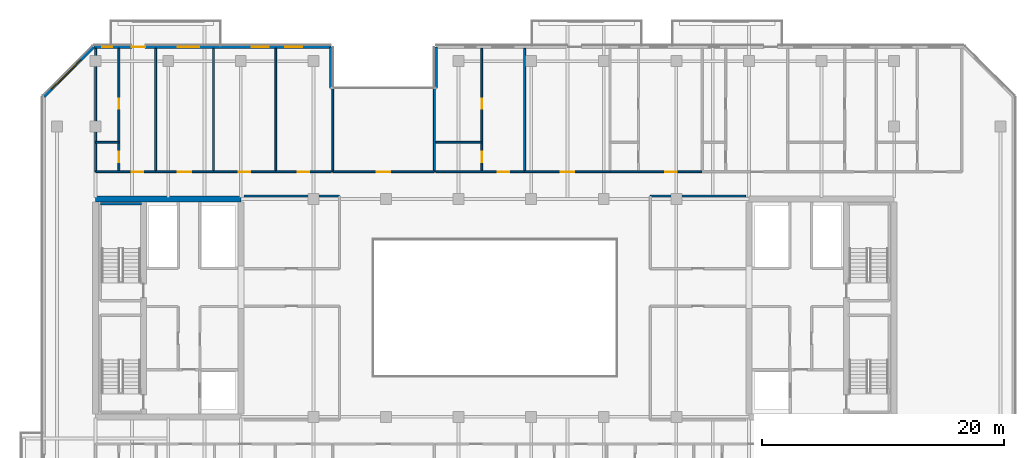
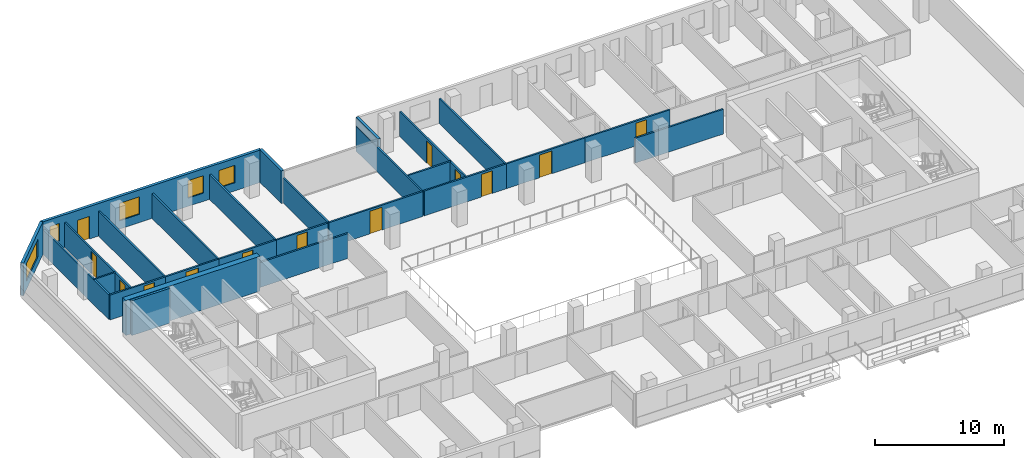
# One storey, part 12 of 19: 27 walls, 13 doors, 5 windows, 18 openings.
"""IFC4 building model written with IfcOpenShell, lengths in metres."""

from ifc_helpers import new_model, si_unit, direction, frame, frame_2d, origin, place, context, subcontext, project, spatial, rectangle, extrude, material, layer, layer_set, type_object, element, fill, save


model = new_model("IFC4")

# Units and contexts
model_context = context("Model", 3, precision=1e-05, world=origin(), true_north=direction((0.0, 1.0)))
body_context = subcontext(model_context, "Body", "Model", "MODEL_VIEW")
ifc_project = project(units=[si_unit("LENGTHUNIT", "METRE"), si_unit("AREAUNIT", "SQUARE_METRE"), si_unit("VOLUMEUNIT", "CUBIC_METRE"), si_unit("PLANEANGLEUNIT", "RADIAN"), si_unit("MASSUNIT", "GRAM", prefix="KILO")], contexts=[model_context])

# Site, building, storey
site_placement = place(None, origin())
site = spatial("IfcSite", under=ifc_project, at=site_placement, CompositionType="ELEMENT")
building_placement = place(site_placement, origin())
building = spatial("IfcBuilding", under=site, at=building_placement, Name="Tanjung Sevakor Pilgrim Tower", CompositionType="ELEMENT")
storey_placement = place(building_placement, frame((0.0, 0.0, 132.0)))
storey = spatial("IfcBuildingStorey", under=building, at=storey_placement, Name="L36", CompositionType="ELEMENT", Elevation=132.0)

# Walls
ifc_material_1 = material(Name="Concrete C60/75", Category="concrete")
ifc_layer_1 = layer(ifc_material_1, 0.5)
ifc_layer_set_1 = layer_set([ifc_layer_1], Name="WALL-CW-500")
wall_type_1 = type_object("IfcWallType", Name="WALL-CW-500", PredefinedType="SHEAR", material=ifc_layer_set_1)
wall_1_placement = place(storey_placement, frame((36.0, 42.60009765625, 0.0), z_axis=(0.0, 0.0, 1.0), x_axis=(-1.0, 0.0, 0.0)))
element("IfcWall", 1, at=wall_1_placement, inside=storey, type_object=wall_type_1, Name="L36 W Core North Shear Wall", PredefinedType="SHEAR", context=body_context, shape_type="SweptSolid", body=[
    extrude(rectangle(XDim=12.0, YDim=0.5, at=frame_2d((6.0, 0.0))), origin(), (0.0, 0.0, 1.0), 3.300048828125),
])
ifc_material_2 = material(Name="Concrete C40/50", Category="concrete")
ifc_layer_2 = layer(ifc_material_2, 0.14990234375)
ifc_layer_set_2 = layer_set([ifc_layer_2], Name="WT-COMP-150")
wall_type_2 = type_object("IfcWallType", Name="WT-COMP-150", PredefinedType="SOLIDWALL", material=ifc_layer_set_2)
for number, where, z_axis, x_axis, name in (
    (2, (36.27001953125, 42.85009765625, 0.0), (0.0, 0.0, 1.0), (1.0, 0.0, 0.0), "L36 Partition IW-L36-025"),
    (3, (69.85009765625, 42.85009765625, 0.0), (0.0, 0.0, 1.0), (1.0, 0.0, 0.0), "L36 Partition IW-L36-031"),
):
    element("IfcWall", number, at=place(storey_placement, frame(where, z_axis=z_axis, x_axis=x_axis)), inside=storey, type_object=wall_type_2, Name=name, PredefinedType="SOLIDWALL", context=body_context, shape_type="SweptSolid", body=[
        extrude(rectangle(XDim=7.8798828125, YDim=0.14990234375, at=frame_2d((3.93994140625, 0.0))), origin(), (0.0, 0.0, 1.0), 2.35009765625),
    ])

# Wall, opening, door
wall_2_placement = place(storey_placement, frame((43.60009765625, 44.85009765625, 0.0), z_axis=(0.0, 0.0, 1.0), x_axis=(1.0, 0.0, 0.0)))
wall_2 = element("IfcWall", 4, at=wall_2_placement, inside=storey, type_object=wall_type_2, Name="L36 Partition IW-L36-036", PredefinedType="SOLIDWALL", context=body_context, shape_type="SweptSolid", body=[
    extrude(rectangle(XDim=8.39990234375, YDim=0.14990234375, at=frame_2d((4.199951171875, 0.0))), origin(), (0.0, 0.0, 1.0), 2.35009765625),
])
opening_1_placement = place(wall_2_placement, frame((3.64990234375, 0.0, 0.0)))
opening_1 = element("IfcOpeningElement", 5, at=opening_1_placement, cuts=wall_2, Name="Opening ID-RM2", PredefinedType="OPENING", context=body_context, shape_type="SweptSolid", body=[
    extrude(rectangle(XDim=1.10009765625, YDim=2.14990234375, at=frame_2d((0.550048828125, 1.074951171875))), frame((0.0, 0.0849609375, 0.0), z_axis=(0.0, -1.0, 0.0), x_axis=(1.0, 0.0, 0.0)), (0.0, 0.0, 1.0), 0.169921875),
])
ifc_material_3 = material(Name="Hardwood Timber", Category="wood")
door_type_1 = type_object("IfcDoorType", Name="DT-INT-1100", OperationType="NOTDEFINED", PredefinedType="DOOR", material=ifc_material_3)
door_1_placement = place(opening_1_placement, origin())
door_1 = element("IfcDoor", 6, at=door_1_placement, inside=storey, type_object=door_type_1, Name="L36 North Cleft Prayer Room Door", OperationType="SINGLE_SWING_RIGHT", OverallHeight=2.14990234375, OverallWidth=1.10009765625, PredefinedType="DOOR", context=body_context, shape_type="SweptSolid", body=[
    extrude(rectangle(XDim=1.10009765625, YDim=2.14990234375, at=frame_2d((0.550048828125, 1.074951171875))), frame((0.0, 0.02490234375, 0.0), z_axis=(0.0, -1.0, 0.0), x_axis=(1.0, 0.0, 0.0)), (0.0, 0.0, 1.0), 0.050048828125),
])
fill(opening_1, door_1)

# Walls
for number, where, z_axis, x_axis, name in (
    (7, (43.60009765625, 44.85009765625, 0.0), (0.0, 0.0, 1.0), (0.0, 1.0, 0.0), "L36 Partition IW-L36-037"),
    (8, (52.0, 44.85009765625, 0.0), (0.0, 0.0, 1.0), (0.0, 1.0, 0.0), "L36 Partition IW-L36-038"),
    (9, (24.0, 44.85009765625, 0.0), (0.0, 0.0, 1.0), (0.0, 1.0, 0.0), "L36 Partition IW-L36-070"),
    (10, (28.9619140625, 44.85009765625, 0.0), (0.0, 0.0, 1.0), (0.0, 1.0, 0.0), "L36 Partition IW-L36-071"),
):
    element("IfcWall", number, at=place(storey_placement, frame(where, z_axis=z_axis, x_axis=x_axis)), inside=storey, type_object=wall_type_2, Name=name, PredefinedType="SOLIDWALL", context=body_context, shape_type="SweptSolid", body=[
        extrude(rectangle(XDim=10.199951171875, YDim=0.14990234375, at=frame_2d((5.10009765625, 0.0))), origin(), (0.0, 0.0, 1.0), 2.35009765625),
    ])

# Wall, opening, door
wall_3_placement = place(storey_placement, frame((24.0, 44.85009765625, 0.0), z_axis=(0.0, 0.0, 1.0), x_axis=(1.0, 0.0, 0.0)))
wall_3 = element("IfcWall", 11, at=wall_3_placement, inside=storey, type_object=wall_type_2, Name="L36 Partition IW-L36-074", PredefinedType="SOLIDWALL", context=body_context, shape_type="SweptSolid", body=[
    extrude(rectangle(XDim=4.9619140625, YDim=0.14990234375, at=frame_2d((2.48095703125, 0.0))), origin(), (0.0, 0.0, 1.0), 2.35009765625),
])
opening_2_placement = place(wall_3_placement, frame((3.005859375, 0.0, 0.0)))
opening_2 = element("IfcOpeningElement", 12, at=opening_2_placement, cuts=wall_3, Name="Opening ID-FD2", PredefinedType="OPENING", context=body_context, shape_type="SweptSolid", body=[
    extrude(rectangle(XDim=0.949951171875, YDim=2.14990234375, at=frame_2d((0.47509765625, 1.074951171875))), frame((0.0, 0.0849609375, 0.0), z_axis=(0.0, -1.0, 0.0), x_axis=(1.0, 0.0, 0.0)), (0.0, 0.0, 1.0), 0.169921875),
])
ifc_material_4 = material(Name="Fire-Rated Timber", Category="wood")
door_type_2 = type_object("IfcDoorType", Name="DT-FIRE-950", OperationType="NOTDEFINED", PredefinedType="DOOR", material=ifc_material_4)
door_2_placement = place(opening_2_placement, origin())
door_2 = element("IfcDoor", 13, at=door_2_placement, inside=storey, type_object=door_type_2, Name="Hostel Quad Entrance", OperationType="SINGLE_SWING_RIGHT", OverallHeight=2.14990234375, OverallWidth=0.949951171875, PredefinedType="DOOR", context=body_context, shape_type="SweptSolid", body=[
    extrude(rectangle(XDim=0.949951171875, YDim=2.14990234375, at=frame_2d((0.47509765625, 1.074951171875))), frame((0.0, 0.02490234375, 0.0), z_axis=(0.0, -1.0, 0.0), x_axis=(1.0, 0.0, 0.0)), (0.0, 0.0, 1.0), 0.050048828125),
])
fill(opening_2, door_2)

# Wall
wall_4_placement = place(storey_placement, frame((33.739990234375, 44.85009765625, 0.0), z_axis=(0.0, 0.0, 1.0), x_axis=(0.0, 1.0, 0.0)))
element("IfcWall", 14, at=wall_4_placement, inside=storey, type_object=wall_type_2, Name="L36 Partition IW-L36-075", PredefinedType="SOLIDWALL", context=body_context, shape_type="SweptSolid", body=[
    extrude(rectangle(XDim=10.199951171875, YDim=0.14990234375, at=frame_2d((5.10009765625, 0.0))), origin(), (0.0, 0.0, 1.0), 2.35009765625),
])

# Wall, opening, door
wall_5_placement = place(storey_placement, frame((28.9619140625, 44.85009765625, 0.0), z_axis=(0.0, 0.0, 1.0), x_axis=(1.0, 0.0, 0.0)))
wall_5 = element("IfcWall", 15, at=wall_5_placement, inside=storey, type_object=wall_type_2, Name="L36 Partition IW-L36-076", PredefinedType="SOLIDWALL", context=body_context, shape_type="SweptSolid", body=[
    extrude(rectangle(XDim=4.778076171875, YDim=0.14990234375, at=frame_2d((2.38916015625, 0.0))), origin(), (0.0, 0.0, 1.0), 2.35009765625),
])
opening_3_placement = place(wall_5_placement, frame((1.839111328125, 0.0, 0.0)))
opening_3 = element("IfcOpeningElement", 16, at=opening_3_placement, cuts=wall_5, Name="Opening ID-FD0", PredefinedType="OPENING", context=body_context, shape_type="SweptSolid", body=[
    extrude(rectangle(XDim=1.10009765625, YDim=2.14990234375, at=frame_2d((0.550048828125, 1.074951171875))), frame((0.0, 0.0849609375, 0.0), z_axis=(0.0, -1.0, 0.0), x_axis=(1.0, 0.0, 0.0)), (0.0, 0.0, 1.0), 0.169921875),
])
ifc_material_5 = material(Name="Fire-Rated Steel S355J2", Category="steel")
door_type_3 = type_object("IfcDoorType", Name="DT-FIRE-1100", OperationType="NOTDEFINED", PredefinedType="DOOR", material=ifc_material_5)
door_3_placement = place(opening_3_placement, origin())
door_3 = element("IfcDoor", 17, at=door_3_placement, inside=storey, type_object=door_type_3, Name="Seminar Room Door", OperationType="SINGLE_SWING_LEFT", OverallHeight=2.14990234375, OverallWidth=1.10009765625, PredefinedType="DOOR", context=body_context, shape_type="SweptSolid", body=[
    extrude(rectangle(XDim=1.10009765625, YDim=2.14990234375, at=frame_2d((0.550048828125, 1.074951171875))), frame((0.0, 0.02490234375, 0.0), z_axis=(0.0, -1.0, 0.0), x_axis=(1.0, 0.0, 0.0)), (0.0, 0.0, 1.0), 0.050048828125),
])
fill(opening_3, door_3)

# Wall
wall_6_placement = place(storey_placement, frame((38.8857421875, 44.85009765625, 0.0), z_axis=(0.0, 0.0, 1.0), x_axis=(0.0, 1.0, 0.0)))
element("IfcWall", 18, at=wall_6_placement, inside=storey, type_object=wall_type_2, Name="L36 Partition IW-L36-077", PredefinedType="SOLIDWALL", context=body_context, shape_type="SweptSolid", body=[
    extrude(rectangle(XDim=10.199951171875, YDim=0.14990234375, at=frame_2d((5.10009765625, 0.0))), origin(), (0.0, 0.0, 1.0), 2.35009765625),
])

# Wall, opening, door
wall_7_placement = place(storey_placement, frame((33.739990234375, 44.85009765625, 0.0), z_axis=(0.0, 0.0, 1.0), x_axis=(1.0, 0.0, 0.0)))
wall_7 = element("IfcWall", 19, at=wall_7_placement, inside=storey, type_object=wall_type_2, Name="L36 Partition IW-L36-078", PredefinedType="SOLIDWALL", context=body_context, shape_type="SweptSolid", body=[
    extrude(rectangle(XDim=5.145751953125, YDim=0.14990234375, at=frame_2d((2.57275390625, 0.0))), origin(), (0.0, 0.0, 1.0), 2.35009765625),
])
opening_4_placement = place(wall_7_placement, frame((2.097900390625, 0.0, 0.0)))
opening_4 = element("IfcOpeningElement", 20, at=opening_4_placement, cuts=wall_7, Name="Opening ID-FD2", PredefinedType="OPENING", context=body_context, shape_type="SweptSolid", body=[
    extrude(rectangle(XDim=0.949951171875, YDim=2.14990234375, at=frame_2d((0.47509765625, 1.074951171875))), frame((0.0, 0.0849609375, 0.0), z_axis=(0.0, -1.0, 0.0), x_axis=(1.0, 0.0, 0.0)), (0.0, 0.0, 1.0), 0.169921875),
])
door_4_placement = place(opening_4_placement, origin())
door_4 = element("IfcDoor", 21, at=door_4_placement, inside=storey, type_object=door_type_2, Name="Study Room Entrance", OperationType="SINGLE_SWING_RIGHT", OverallHeight=2.14990234375, OverallWidth=0.949951171875, PredefinedType="DOOR", context=body_context, shape_type="SweptSolid", body=[
    extrude(rectangle(XDim=0.949951171875, YDim=2.14990234375, at=frame_2d((0.47509765625, 1.074951171875))), frame((0.0, 0.02490234375, 0.0), z_axis=(0.0, -1.0, 0.0), x_axis=(1.0, 0.0, 0.0)), (0.0, 0.0, 1.0), 0.050048828125),
])
fill(opening_4, door_4)

wall_8_placement = place(storey_placement, frame((38.8857421875, 44.85009765625, 0.0), z_axis=(0.0, 0.0, 1.0), x_axis=(1.0, 0.0, 0.0)))
wall_8 = element("IfcWall", 22, at=wall_8_placement, inside=storey, type_object=wall_type_2, Name="L36 Partition IW-L36-079", PredefinedType="SOLIDWALL", context=body_context, shape_type="SweptSolid", body=[
    extrude(rectangle(XDim=4.59423828125, YDim=0.14990234375, at=frame_2d((2.297119140625, 0.0))), origin(), (0.0, 0.0, 1.0), 2.35009765625),
])
opening_5_placement = place(wall_8_placement, frame((1.822021484375, 0.0, 0.0)))
opening_5 = element("IfcOpeningElement", 23, at=opening_5_placement, cuts=wall_8, Name="Opening ID-FD2", PredefinedType="OPENING", context=body_context, shape_type="SweptSolid", body=[
    extrude(rectangle(XDim=0.949951171875, YDim=2.14990234375, at=frame_2d((0.47509765625, 1.074951171875))), frame((0.0, 0.0849609375, 0.0), z_axis=(0.0, -1.0, 0.0), x_axis=(1.0, 0.0, 0.0)), (0.0, 0.0, 1.0), 0.169921875),
])
door_5_placement = place(opening_5_placement, origin())
door_5 = element("IfcDoor", 24, at=door_5_placement, inside=storey, type_object=door_type_2, Name="Study Room Entrance", OperationType="SINGLE_SWING_LEFT", OverallHeight=2.14990234375, OverallWidth=0.949951171875, PredefinedType="DOOR", context=body_context, shape_type="SweptSolid", body=[
    extrude(rectangle(XDim=0.949951171875, YDim=2.14990234375, at=frame_2d((0.47509765625, 1.074951171875))), frame((0.0, 0.02490234375, 0.0), z_axis=(0.0, -1.0, 0.0), x_axis=(1.0, 0.0, 0.0)), (0.0, 0.0, 1.0), 0.050048828125),
])
fill(opening_5, door_5)

# Wall
wall_9_placement = place(storey_placement, frame((59.457275390625, 44.85009765625, 0.0), z_axis=(0.0, 0.0, 1.0), x_axis=(0.0, 1.0, 0.0)))
element("IfcWall", 25, at=wall_9_placement, inside=storey, type_object=wall_type_2, Name="L36 Partition IW-L36-081", PredefinedType="SOLIDWALL", context=body_context, shape_type="SweptSolid", body=[
    extrude(rectangle(XDim=10.199951171875, YDim=0.14990234375, at=frame_2d((5.10009765625, 0.0))), origin(), (0.0, 0.0, 1.0), 2.35009765625),
])

# Wall, opening, door
wall_10_placement = place(storey_placement, frame((52.1201171875, 44.85009765625, 0.0), z_axis=(0.0, 0.0, 1.0), x_axis=(1.0, 0.0, 0.0)))
wall_10 = element("IfcWall", 26, at=wall_10_placement, inside=storey, type_object=wall_type_2, Name="L36 Partition IW-L36-084", PredefinedType="SOLIDWALL", context=body_context, shape_type="SweptSolid", body=[
    extrude(rectangle(XDim=7.337158203125, YDim=0.14990234375, at=frame_2d((3.66845703125, 0.0))), origin(), (0.0, 0.0, 1.0), 2.35009765625),
])
opening_6_placement = place(wall_10_placement, frame((5.133544921875, 0.0, 0.0)))
opening_6 = element("IfcOpeningElement", 27, at=opening_6_placement, cuts=wall_10, Name="Opening ID-FD2", PredefinedType="OPENING", context=body_context, shape_type="SweptSolid", body=[
    extrude(rectangle(XDim=0.949951171875, YDim=2.14990234375, at=frame_2d((0.47509765625, 1.074951171875))), frame((0.0, 0.0849609375, 0.0), z_axis=(0.0, -1.0, 0.0), x_axis=(1.0, 0.0, 0.0)), (0.0, 0.0, 1.0), 0.169921875),
])
door_6_placement = place(opening_6_placement, origin())
door_6 = element("IfcDoor", 28, at=door_6_placement, inside=storey, type_object=door_type_2, Name="Hostel Quad Entrance", OperationType="SINGLE_SWING_RIGHT", OverallHeight=2.14990234375, OverallWidth=0.949951171875, PredefinedType="DOOR", context=body_context, shape_type="SweptSolid", body=[
    extrude(rectangle(XDim=0.949951171875, YDim=2.14990234375, at=frame_2d((0.47509765625, 1.074951171875))), frame((0.0, 0.02490234375, 0.0), z_axis=(0.0, -1.0, 0.0), x_axis=(1.0, 0.0, 0.0)), (0.0, 0.0, 1.0), 0.050048828125),
])
fill(opening_6, door_6)

wall_11_placement = place(storey_placement, frame((59.457275390625, 44.85009765625, 0.0), z_axis=(0.0, 0.0, 1.0), x_axis=(1.0, 0.0, 0.0)))
wall_11 = element("IfcWall", 29, at=wall_11_placement, inside=storey, type_object=wall_type_2, Name="L36 Partition IW-L36-086", PredefinedType="SOLIDWALL", context=body_context, shape_type="SweptSolid", body=[
    extrude(rectangle(XDim=7.0654296875, YDim=0.14990234375, at=frame_2d((3.53271484375, 0.0))), origin(), (0.0, 0.0, 1.0), 2.35009765625),
])
opening_7_placement = place(wall_11_placement, frame((2.98291015625, 0.0, 0.0)))
opening_7 = element("IfcOpeningElement", 30, at=opening_7_placement, cuts=wall_11, Name="Opening ID-FD0", PredefinedType="OPENING", context=body_context, shape_type="SweptSolid", body=[
    extrude(rectangle(XDim=1.10009765625, YDim=2.14990234375, at=frame_2d((0.550048828125, 1.074951171875))), frame((0.0, 0.0849609375, 0.0), z_axis=(0.0, -1.0, 0.0), x_axis=(1.0, 0.0, 0.0)), (0.0, 0.0, 1.0), 0.169921875),
])
door_7_placement = place(opening_7_placement, origin())
door_7 = element("IfcDoor", 31, at=door_7_placement, inside=storey, type_object=door_type_3, Name="Communal Lounge Door", OperationType="SINGLE_SWING_LEFT", OverallHeight=2.14990234375, OverallWidth=1.10009765625, PredefinedType="DOOR", context=body_context, shape_type="SweptSolid", body=[
    extrude(rectangle(XDim=1.10009765625, YDim=2.14990234375, at=frame_2d((0.550048828125, 1.074951171875))), frame((0.0, 0.02490234375, 0.0), z_axis=(0.0, -1.0, 0.0), x_axis=(1.0, 0.0, 0.0)), (0.0, 0.0, 1.0), 0.050048828125),
])
fill(opening_7, door_7)

wall_12_placement = place(storey_placement, frame((66.522705078125, 44.85009765625, 0.0), z_axis=(0.0, 0.0, 1.0), x_axis=(1.0, 0.0, 0.0)))
wall_12 = element("IfcWall", 32, at=wall_12_placement, inside=storey, type_object=wall_type_2, Name="L36 Partition IW-L36-090", PredefinedType="SOLIDWALL", context=body_context, shape_type="SweptSolid", body=[
    extrude(rectangle(XDim=7.60888671875, YDim=0.14990234375, at=frame_2d((3.804443359375, 0.0))), origin(), (0.0, 0.0, 1.0), 2.35009765625),
])
opening_8_placement = place(wall_12_placement, frame((4.54443359375, 0.0, 0.0)))
opening_8 = element("IfcOpeningElement", 33, at=opening_8_placement, cuts=wall_12, Name="Opening ID-FD2", PredefinedType="OPENING", context=body_context, shape_type="SweptSolid", body=[
    extrude(rectangle(XDim=0.949951171875, YDim=2.14990234375, at=frame_2d((0.47509765625, 1.074951171875))), frame((0.0, 0.0849609375, 0.0), z_axis=(0.0, -1.0, 0.0), x_axis=(1.0, 0.0, 0.0)), (0.0, 0.0, 1.0), 0.169921875),
])
door_8_placement = place(opening_8_placement, origin())
door_8 = element("IfcDoor", 34, at=door_8_placement, inside=storey, type_object=door_type_2, Name="Hostel Quad Entrance", OperationType="SINGLE_SWING_RIGHT", OverallHeight=2.14990234375, OverallWidth=0.949951171875, PredefinedType="DOOR", context=body_context, shape_type="SweptSolid", body=[
    extrude(rectangle(XDim=0.949951171875, YDim=2.14990234375, at=frame_2d((0.47509765625, 1.074951171875))), frame((0.0, 0.02490234375, 0.0), z_axis=(0.0, -1.0, 0.0), x_axis=(1.0, 0.0, 0.0)), (0.0, 0.0, 1.0), 0.050048828125),
])
fill(opening_8, door_8)

# Walls
ifc_material_6 = material(Name="Precast concrete C45/55", Category="concrete")
ifc_layer_3 = layer(ifc_material_6, 0.25)
ifc_layer_set_3 = layer_set([ifc_layer_3], Name="WT-EW-STN3")
wall_type_3 = type_object("IfcWallType", Name="WT-EW-STN3", PredefinedType="SOLIDWALL", material=ifc_layer_set_3)
for number, where, z_axis, x_axis, name in (
    (35, (52.125, 55.175048828125, 0.0), (0.0, 0.0, 1.0), (0.0, -1.0, 0.0), "L36 MAIN Exterior Wall 10"),
    (36, (43.47509765625, 51.77490234375, 0.0), (0.0, 0.0, 1.0), (0.0, 1.0, 0.0), "L36 MAIN Exterior Wall 12"),
):
    element("IfcWall", number, at=place(storey_placement, frame(where, z_axis=z_axis, x_axis=x_axis)), inside=storey, type_object=wall_type_3, Name=name, PredefinedType="SOLIDWALL", context=body_context, shape_type="SweptSolid", body=[
        extrude(rectangle(XDim=3.400146484375, YDim=0.25, at=frame_2d((1.7001953125, 0.0))), origin(), (0.0, 0.0, 1.0), 3.080078125),
    ])

# Wall, openings, door, windows
wall_13_placement = place(storey_placement, frame((43.47509765625, 55.175048828125, 0.0), z_axis=(0.0, 0.0, 1.0), x_axis=(-1.0, 0.0, 0.0)))
wall_13 = element("IfcWall", 37, at=wall_13_placement, inside=storey, type_object=wall_type_3, Name="L36 MAIN Exterior Wall 13", PredefinedType="SOLIDWALL", context=body_context, shape_type="SweptSolid", body=[
    extrude(rectangle(XDim=19.623291015625, YDim=0.25, at=frame_2d((9.8115234375, 0.0))), origin(), (0.0, 0.0, 1.0), 3.080078125),
])
opening_9_placement = place(wall_13_placement, frame((15.375, 0.0, 0.0)))
opening_9 = element("IfcOpeningElement", 38, at=opening_9_placement, cuts=wall_13, Name="Opening ED-BAL-1100", PredefinedType="OPENING", context=body_context, shape_type="SweptSolid", body=[
    extrude(rectangle(XDim=1.10009765625, YDim=2.14990234375, at=frame_2d((0.550048828125, 1.074951171875))), frame((0.0, 0.135009765625, 0.0), z_axis=(0.0, -1.0, 0.0), x_axis=(1.0, 0.0, 0.0)), (0.0, 0.0, 1.0), 0.27001953125),
])
opening_10_placement = place(wall_13_placement, frame((18.080078125, 0.0, 0.780029296875)))
opening_10 = element("IfcOpeningElement", 39, at=opening_10_placement, cuts=wall_13, Name="Opening WN-SLM", PredefinedType="OPENING", context=body_context, shape_type="SweptSolid", body=[
    extrude(rectangle(XDim=0.85009765625, YDim=1.64990234375, at=frame_2d((0.425048828125, 0.824951171875))), frame((0.0, 0.135009765625, 0.0), z_axis=(0.0, -1.0, 0.0), x_axis=(1.0, 0.0, 0.0)), (0.0, 0.0, 1.0), 0.27001953125),
])
opening_11_placement = place(wall_13_placement, frame((10.904052734375, 0.0, 0.780029296875)))
opening_11 = element("IfcOpeningElement", 40, at=opening_11_placement, cuts=wall_13, Name="Opening WN-Z3-1660", PredefinedType="OPENING", context=body_context, shape_type="SweptSolid", body=[
    extrude(rectangle(XDim=1.800048828125, YDim=1.659912109375, at=frame_2d((0.89990234375, 0.830078125))), frame((0.0, 0.135009765625, 0.0), z_axis=(0.0, -1.0, 0.0), x_axis=(1.0, 0.0, 0.0)), (0.0, 0.0, 1.0), 0.27001953125),
])
opening_12_placement = place(wall_13_placement, frame((5.18212890625, 0.0, 0.780029296875)))
opening_12 = element("IfcOpeningElement", 41, at=opening_12_placement, cuts=wall_13, Name="Opening WN-END", PredefinedType="OPENING", context=body_context, shape_type="SweptSolid", body=[
    extrude(rectangle(XDim=1.39990234375, YDim=1.64990234375, at=frame_2d((0.699951171875, 0.824951171875))), frame((0.0, 0.135009765625, 0.0), z_axis=(0.0, -1.0, 0.0), x_axis=(1.0, 0.0, 0.0)), (0.0, 0.0, 1.0), 0.27001953125),
])
opening_13_placement = place(wall_13_placement, frame((2.39208984375, 0.0, 0.780029296875)))
opening_13 = element("IfcOpeningElement", 42, at=opening_13_placement, cuts=wall_13, Name="Opening WN-END", PredefinedType="OPENING", context=body_context, shape_type="SweptSolid", body=[
    extrude(rectangle(XDim=1.39990234375, YDim=1.64990234375, at=frame_2d((0.699951171875, 0.824951171875))), frame((0.0, 0.135009765625, 0.0), z_axis=(0.0, -1.0, 0.0), x_axis=(1.0, 0.0, 0.0)), (0.0, 0.0, 1.0), 0.27001953125),
])
ifc_material_7 = material(Name="Anodised Aluminium and Laminated Glass", Category="aluminium")
door_type_4 = type_object("IfcDoorType", Name="DTYP-ED-BAL-1100", OperationType="NOTDEFINED", PredefinedType="DOOR", material=ifc_material_7)
door_9_placement = place(opening_9_placement, frame((1.10009765625, 0.0, 0.0), z_axis=(0.0, 0.0, 1.0), x_axis=(-1.0, 0.0, 0.0)))
door_9 = element("IfcDoor", 43, at=door_9_placement, inside=storey, type_object=door_type_4, Name="L36 Balcony Door MAIN-N1", OperationType="SINGLE_SWING_RIGHT", OverallHeight=2.14990234375, OverallWidth=1.10009765625, PredefinedType="DOOR", context=body_context, shape_type="SweptSolid", body=[
    extrude(rectangle(XDim=1.10009765625, YDim=2.14990234375, at=frame_2d((0.550048828125, 1.074951171875))), frame((0.0, 0.02490234375, 0.0), z_axis=(0.0, -1.0, 0.0), x_axis=(1.0, 0.0, 0.0)), (0.0, 0.0, 1.0), 0.050048828125),
])
fill(opening_9, door_9)
ifc_material_8 = material(Name="Thermally Broken Aluminium and Low-E Glass", Category="aluminium")
window_type_1 = type_object("IfcWindowType", Name="WTYP-WN-END", PartitioningType="SINGLE_PANEL", PredefinedType="WINDOW", material=ifc_material_8)
window_1_placement = place(opening_12_placement, origin())
window_1 = element("IfcWindow", 44, at=window_1_placement, inside=storey, type_object=window_type_1, Name="L36 Facade Window 03", OverallHeight=1.64990234375, OverallWidth=1.39990234375, PartitioningType="SINGLE_PANEL", PredefinedType="WINDOW", context=body_context, shape_type="SweptSolid", body=[
    extrude(rectangle(XDim=1.39990234375, YDim=1.64990234375, at=frame_2d((0.699951171875, 0.824951171875))), frame((0.0, 0.030029296875, 0.0), z_axis=(0.0, -1.0, 0.0), x_axis=(1.0, 0.0, 0.0)), (0.0, 0.0, 1.0), 0.06005859375),
])
fill(opening_12, window_1)
window_2_placement = place(opening_13_placement, origin())
window_2 = element("IfcWindow", 45, at=window_2_placement, inside=storey, type_object=window_type_1, Name="L36 Facade Window 04", OverallHeight=1.64990234375, OverallWidth=1.39990234375, PartitioningType="SINGLE_PANEL", PredefinedType="WINDOW", context=body_context, shape_type="SweptSolid", body=[
    extrude(rectangle(XDim=1.39990234375, YDim=1.64990234375, at=frame_2d((0.699951171875, 0.824951171875))), frame((0.0, 0.030029296875, 0.0), z_axis=(0.0, -1.0, 0.0), x_axis=(1.0, 0.0, 0.0)), (0.0, 0.0, 1.0), 0.06005859375),
])
fill(opening_13, window_2)
ifc_material_9 = material(Name="Thermally Broken Aluminium and Low-E Glass", Category="aluminium")
window_type_2 = type_object("IfcWindowType", Name="WTYP-WN-SLM", PartitioningType="SINGLE_PANEL", PredefinedType="WINDOW", material=ifc_material_9)
window_3_placement = place(opening_10_placement, origin())
window_3 = element("IfcWindow", 46, at=window_3_placement, inside=storey, type_object=window_type_2, Name="L36 Facade Window 01", OverallHeight=1.64990234375, OverallWidth=0.85009765625, PartitioningType="SINGLE_PANEL", PredefinedType="WINDOW", context=body_context, shape_type="SweptSolid", body=[
    extrude(rectangle(XDim=0.85009765625, YDim=1.64990234375, at=frame_2d((0.425048828125, 0.824951171875))), frame((0.0, 0.030029296875, 0.0), z_axis=(0.0, -1.0, 0.0), x_axis=(1.0, 0.0, 0.0)), (0.0, 0.0, 1.0), 0.06005859375),
])
fill(opening_10, window_3)
ifc_material_10 = material(Name="Thermally Broken Aluminium and Low-E Glass", Category="aluminium")
window_type_3 = type_object("IfcWindowType", Name="WTYP-WN-Z3-1660", PartitioningType="DOUBLE_PANEL_VERTICAL", PredefinedType="WINDOW", material=ifc_material_10)
window_4_placement = place(opening_11_placement, origin())
window_4 = element("IfcWindow", 47, at=window_4_placement, inside=storey, type_object=window_type_3, Name="L36 Facade Window 02", OverallHeight=1.659912109375, OverallWidth=1.800048828125, PartitioningType="SINGLE_PANEL", PredefinedType="WINDOW", context=body_context, shape_type="SweptSolid", body=[
    extrude(rectangle(XDim=1.800048828125, YDim=1.659912109375, at=frame_2d((0.89990234375, 0.830078125))), frame((0.0, 0.030029296875, 0.0), z_axis=(0.0, -1.0, 0.0), x_axis=(1.0, 0.0, 0.0)), (0.0, 0.0, 1.0), 0.06005859375),
])
fill(opening_11, window_4)

# Wall, opening, window
wall_14_placement = place(storey_placement, frame((23.851806640625, 55.175048828125, 0.0), z_axis=(0.0, 0.0, 1.0), x_axis=(-0.70708586489, -0.707127696864, 0.0)))
wall_14 = element("IfcWall", 48, at=wall_14_placement, inside=storey, type_object=wall_type_3, Name="L36 MAIN Sculpted Corner Wall 13", PredefinedType="SOLIDWALL", context=body_context, shape_type="SweptSolid", body=[
    extrude(rectangle(XDim=5.836181640625, YDim=0.25, at=frame_2d((2.91796875, 0.0))), origin(), (0.0, 0.0, 1.0), 3.080078125),
])
opening_14_placement = place(wall_14_placement, frame((1.5380859375, 0.0, 0.780029296875)))
opening_14 = element("IfcOpeningElement", 49, at=opening_14_placement, cuts=wall_14, Name="Opening WN-CHM-1660", PredefinedType="OPENING", context=body_context, shape_type="SweptSolid", body=[
    extrude(rectangle(XDim=3.39990234375, YDim=1.659912109375, at=frame_2d((1.699951171875, 0.830078125))), frame((0.0, 0.135009765625, 0.0), z_axis=(0.0, -1.0, 0.0), x_axis=(1.0, 0.0, 0.0)), (0.0, 0.0, 1.0), 0.27001953125),
])
ifc_material_11 = material(Name="Thermally Broken Aluminium and Low-E Glass", Category="aluminium")
window_type_4 = type_object("IfcWindowType", Name="WTYP-WN-CHM-1660", PartitioningType="DOUBLE_PANEL_VERTICAL", PredefinedType="WINDOW", material=ifc_material_11)
window_5_placement = place(opening_14_placement, origin())
window_5 = element("IfcWindow", 50, at=window_5_placement, inside=storey, type_object=window_type_4, Name="L36 Facade Window 01", OverallHeight=1.659912109375, OverallWidth=3.39990234375, PartitioningType="SINGLE_PANEL", PredefinedType="WINDOW", context=body_context, shape_type="SweptSolid", body=[
    extrude(rectangle(XDim=3.39990234375, YDim=1.659912109375, at=frame_2d((1.699951171875, 0.830078125))), frame((0.0, 0.030029296875, 0.0), z_axis=(0.0, -1.0, 0.0), x_axis=(1.0, 0.0, 0.0)), (0.0, 0.0, 1.0), 0.06005859375),
])
fill(opening_14, window_5)

# Walls
ifc_material_12 = material(Name="Concrete C40/50", Category="concrete")
ifc_layer_4 = layer(ifc_material_12, 0.199951171875)
ifc_layer_set_4 = layer_set([ifc_layer_4], Name="WT-FIRE-200")
wall_type_4 = type_object("IfcWallType", Name="WT-FIRE-200", PredefinedType="SOLIDWALL", material=ifc_layer_set_4)
wall_15_placement = place(storey_placement, frame((27.800048828125, 42.199951171875, 0.0), z_axis=(0.0, 0.0, 1.0), x_axis=(-1.0, 0.0, 0.0)))
element("IfcWall", 51, at=wall_15_placement, inside=storey, type_object=wall_type_4, Name="L36 TS-W2 Shaft Wall 2", PredefinedType="SOLIDWALL", context=body_context, shape_type="SweptSolid", body=[
    extrude(rectangle(XDim=3.400146484375, YDim=0.199951171875, at=frame_2d((1.7001953125, 0.0))), origin(), (0.0, 0.0, 1.0), 3.300048828125),
])
ifc_material_13 = material(Name="Gypsum Board Partition", Category="gypsum board")
ifc_layer_5 = layer(ifc_material_13, 0.14990234375)
ifc_layer_set_5 = layer_set([ifc_layer_5], Name="WT-PART-150")
wall_type_5 = type_object("IfcWallType", Name="WT-PART-150", PredefinedType="PARTITIONING", material=ifc_layer_set_5)
wall_16_placement = place(storey_placement, frame((24.0, 47.300048828125, 0.0), z_axis=(0.0, 0.0, 1.0), x_axis=(1.0, 0.0, 0.0)))
element("IfcWall", 52, at=wall_16_placement, inside=storey, type_object=wall_type_5, Name="L36 Partition IW-L36-072", PredefinedType="PARTITIONING", context=body_context, shape_type="SweptSolid", body=[
    extrude(rectangle(XDim=1.919921875, YDim=0.14990234375, at=frame_2d((0.9599609375, 0.0))), origin(), (0.0, 0.0, 1.0), 2.35009765625),
])

# Wall, openings, doors
wall_17_placement = place(storey_placement, frame((25.919921875, 44.85009765625, 0.0), z_axis=(0.0, 0.0, 1.0), x_axis=(0.0, 1.0, 0.0)))
wall_17 = element("IfcWall", 53, at=wall_17_placement, inside=storey, type_object=wall_type_5, Name="L36 Partition IW-L36-073", PredefinedType="PARTITIONING", context=body_context, shape_type="SweptSolid", body=[
    extrude(rectangle(XDim=10.199951171875, YDim=0.14990234375, at=frame_2d((5.10009765625, 0.0))), origin(), (0.0, 0.0, 1.0), 2.35009765625),
])
opening_15_placement = place(wall_17_placement, frame((0.800048828125, 0.0, 0.0)))
opening_15 = element("IfcOpeningElement", 54, at=opening_15_placement, cuts=wall_17, Name="Opening ID-WC1", PredefinedType="OPENING", context=body_context, shape_type="SweptSolid", body=[
    extrude(rectangle(XDim=0.85009765625, YDim=2.10009765625, at=frame_2d((0.425048828125, 1.050048828125))), frame((0.0, 0.0849609375, 0.0), z_axis=(0.0, -1.0, 0.0), x_axis=(1.0, 0.0, 0.0)), (0.0, 0.0, 1.0), 0.169921875),
])
opening_16_placement = place(wall_17_placement, frame((5.2099609375, 0.0, 0.0)))
opening_16 = element("IfcOpeningElement", 55, at=opening_16_placement, cuts=wall_17, Name="Opening ID-WC1", PredefinedType="OPENING", context=body_context, shape_type="SweptSolid", body=[
    extrude(rectangle(XDim=0.85009765625, YDim=2.10009765625, at=frame_2d((0.425048828125, 1.050048828125))), frame((0.0, 0.0849609375, 0.0), z_axis=(0.0, -1.0, 0.0), x_axis=(1.0, 0.0, 0.0)), (0.0, 0.0, 1.0), 0.169921875),
])
ifc_material_14 = material(Name="Moisture-Resistant Timber", Category="wood")
door_type_5 = type_object("IfcDoorType", Name="DT-INT-850", OperationType="NOTDEFINED", PredefinedType="DOOR", material=ifc_material_14)
door_10_placement = place(opening_15_placement, origin())
door_10 = element("IfcDoor", 56, at=door_10_placement, inside=storey, type_object=door_type_5, Name="Bathroom Door", OperationType="SINGLE_SWING_RIGHT", OverallHeight=2.10009765625, OverallWidth=0.85009765625, PredefinedType="DOOR", context=body_context, shape_type="SweptSolid", body=[
    extrude(rectangle(XDim=0.85009765625, YDim=2.10009765625, at=frame_2d((0.425048828125, 1.050048828125))), frame((0.0, 0.02490234375, 0.0), z_axis=(0.0, -1.0, 0.0), x_axis=(1.0, 0.0, 0.0)), (0.0, 0.0, 1.0), 0.050048828125),
])
fill(opening_15, door_10)
door_11_placement = place(opening_16_placement, origin())
door_11 = element("IfcDoor", 57, at=door_11_placement, inside=storey, type_object=door_type_5, Name="Study Nook Door", OperationType="SINGLE_SWING_LEFT", OverallHeight=2.10009765625, OverallWidth=0.85009765625, PredefinedType="DOOR", context=body_context, shape_type="SweptSolid", body=[
    extrude(rectangle(XDim=0.85009765625, YDim=2.10009765625, at=frame_2d((0.425048828125, 1.050048828125))), frame((0.0, 0.02490234375, 0.0), z_axis=(0.0, -1.0, 0.0), x_axis=(1.0, 0.0, 0.0)), (0.0, 0.0, 1.0), 0.050048828125),
])
fill(opening_16, door_11)

# Wall
wall_18_placement = place(storey_placement, frame((52.1201171875, 47.300048828125, 0.0), z_axis=(0.0, 0.0, 1.0), x_axis=(1.0, 0.0, 0.0)))
element("IfcWall", 58, at=wall_18_placement, inside=storey, type_object=wall_type_5, Name="L36 Partition IW-L36-082", PredefinedType="PARTITIONING", context=body_context, shape_type="SweptSolid", body=[
    extrude(rectangle(XDim=3.7998046875, YDim=0.14990234375, at=frame_2d((1.89990234375, 0.0))), origin(), (0.0, 0.0, 1.0), 2.35009765625),
])

# Wall, openings, doors
wall_19_placement = place(storey_placement, frame((55.919921875, 44.85009765625, 0.0), z_axis=(0.0, 0.0, 1.0), x_axis=(0.0, 1.0, 0.0)))
wall_19 = element("IfcWall", 59, at=wall_19_placement, inside=storey, type_object=wall_type_5, Name="L36 Partition IW-L36-083", PredefinedType="PARTITIONING", context=body_context, shape_type="SweptSolid", body=[
    extrude(rectangle(XDim=10.199951171875, YDim=0.14990234375, at=frame_2d((5.10009765625, 0.0))), origin(), (0.0, 0.0, 1.0), 2.35009765625),
])
opening_17_placement = place(wall_19_placement, frame((0.800048828125, 0.0, 0.0)))
opening_17 = element("IfcOpeningElement", 60, at=opening_17_placement, cuts=wall_19, Name="Opening ID-WC1", PredefinedType="OPENING", context=body_context, shape_type="SweptSolid", body=[
    extrude(rectangle(XDim=0.85009765625, YDim=2.10009765625, at=frame_2d((0.425048828125, 1.050048828125))), frame((0.0, 0.0849609375, 0.0), z_axis=(0.0, -1.0, 0.0), x_axis=(1.0, 0.0, 0.0)), (0.0, 0.0, 1.0), 0.169921875),
])
opening_18_placement = place(wall_19_placement, frame((5.2099609375, 0.0, 0.0)))
opening_18 = element("IfcOpeningElement", 61, at=opening_18_placement, cuts=wall_19, Name="Opening ID-WC1", PredefinedType="OPENING", context=body_context, shape_type="SweptSolid", body=[
    extrude(rectangle(XDim=0.85009765625, YDim=2.10009765625, at=frame_2d((0.425048828125, 1.050048828125))), frame((0.0, 0.0849609375, 0.0), z_axis=(0.0, -1.0, 0.0), x_axis=(1.0, 0.0, 0.0)), (0.0, 0.0, 1.0), 0.169921875),
])
door_12_placement = place(opening_17_placement, origin())
door_12 = element("IfcDoor", 62, at=door_12_placement, inside=storey, type_object=door_type_5, Name="Bathroom Door", OperationType="SINGLE_SWING_RIGHT", OverallHeight=2.10009765625, OverallWidth=0.85009765625, PredefinedType="DOOR", context=body_context, shape_type="SweptSolid", body=[
    extrude(rectangle(XDim=0.85009765625, YDim=2.10009765625, at=frame_2d((0.425048828125, 1.050048828125))), frame((0.0, 0.02490234375, 0.0), z_axis=(0.0, -1.0, 0.0), x_axis=(1.0, 0.0, 0.0)), (0.0, 0.0, 1.0), 0.050048828125),
])
fill(opening_17, door_12)
door_13_placement = place(opening_18_placement, origin())
door_13 = element("IfcDoor", 63, at=door_13_placement, inside=storey, type_object=door_type_5, Name="Study Nook Door", OperationType="SINGLE_SWING_LEFT", OverallHeight=2.10009765625, OverallWidth=0.85009765625, PredefinedType="DOOR", context=body_context, shape_type="SweptSolid", body=[
    extrude(rectangle(XDim=0.85009765625, YDim=2.10009765625, at=frame_2d((0.425048828125, 1.050048828125))), frame((0.0, 0.02490234375, 0.0), z_axis=(0.0, -1.0, 0.0), x_axis=(1.0, 0.0, 0.0)), (0.0, 0.0, 1.0), 0.050048828125),
])
fill(opening_18, door_13)

save(model, "model.ifc")
